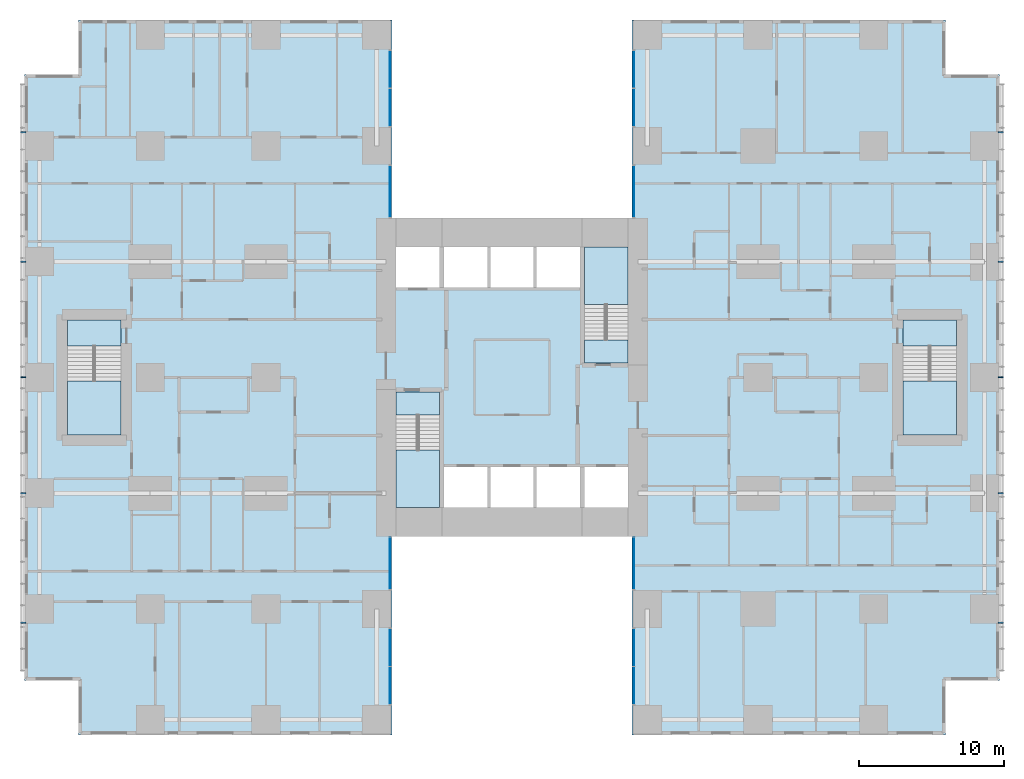
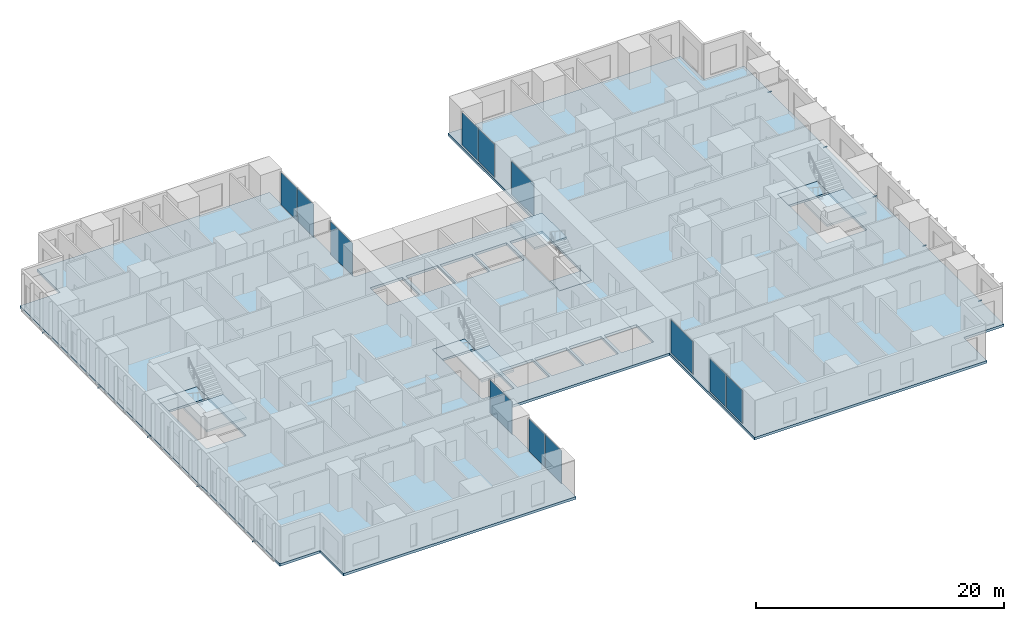
# One storey, part 7 of 20: 12 plates, 10 members, 9 slabs, 12 elements without a shape of their own.
"""IFC4 building model written with IfcOpenShell, lengths in metres."""

from ifc_helpers import new_model, si_unit, direction, frame, origin, origin_2d, place, context, subcontext, project, spatial, polyline, rectangle, hollow_rectangle, outline, extrude, material, layer, layer_set, material_profile, profile_set, type_object, element, aggregate, save


model = new_model("IFC4")

# Units and contexts
model_context = context("Model", 3, precision=1e-05, world=origin(), true_north=direction((0.0, 1.0)))
body_context = subcontext(model_context, "Body", "Model", "MODEL_VIEW")
ifc_project = project(units=[si_unit("LENGTHUNIT", "METRE"), si_unit("AREAUNIT", "SQUARE_METRE"), si_unit("VOLUMEUNIT", "CUBIC_METRE"), si_unit("PLANEANGLEUNIT", "RADIAN"), si_unit("MASSUNIT", "GRAM", prefix="KILO")], contexts=[model_context])

# Site, building, storey
site_placement = place(None, origin())
site = spatial("IfcSite", under=ifc_project, at=site_placement, CompositionType="ELEMENT")
building_placement = place(site_placement, origin())
building = spatial("IfcBuilding", under=site, at=building_placement, Name="Cleftline Residences", CompositionType="ELEMENT")
storey_placement = place(building_placement, frame((0.0, 0.0, 121.39990234375)))
storey = spatial("IfcBuildingStorey", under=building, at=storey_placement, Name="L31", CompositionType="ELEMENT", Elevation=121.39990234375)

# Members
ifc_material_1 = material(Name="Steel S355, hot-dip galvanised", Category="steel")
ifc_material_profile = material_profile(ifc_material_1, hollow_rectangle(XDim=0.10009765625, YDim=0.10009765625, WallThickness=0.008056640625, InnerFilletRadius=0.008056640625, OuterFilletRadius=0.011962890625, at=origin_2d()))
ifc_profile_set = profile_set([ifc_material_profile], Name="Steel S355, hot-dip galvanised")
member_type = type_object("IfcMemberType", Name="BAGUETTE BRACKET SHS 100X100X8", PredefinedType="USERDEFINED", material=ifc_profile_set)
for number, where, z_axis, x_axis, name in (
    (1, (66.60009765625, 7.050048828125, -0.14990234375), (1.0, 0.0, 0.0), (0.0, 1.0, 0.0), "Baguette bracket"),
    (2, (66.60009765625, 16.0, -0.14990234375), (1.0, 0.0, 0.0), (0.0, 1.0, 0.0), "Baguette bracket"),
    (3, (66.60009765625, 24.0, -0.14990234375), (1.0, 0.0, 0.0), (0.0, 1.0, 0.0), "Baguette bracket"),
    (4, (66.60009765625, 32.0, -0.14990234375), (1.0, 0.0, 0.0), (0.0, 1.0, 0.0), "Baguette bracket"),
    (5, (66.60009765625, 40.949951171875, -0.14990234375), (1.0, 0.0, 0.0), (0.0, 1.0, 0.0), "Baguette bracket"),
    (6, (-0.60009765625, 40.949951171875, -0.14990234375), (-1.0, 0.0, 0.0), (0.0, -1.0, 0.0), "Baguette bracket"),
    (7, (-0.60009765625, 32.0, -0.14990234375), (-1.0, 0.0, 0.0), (0.0, -1.0, 0.0), "Baguette bracket"),
    (8, (-0.60009765625, 24.0, -0.14990234375), (-1.0, 0.0, 0.0), (0.0, -1.0, 0.0), "Baguette bracket"),
    (9, (-0.60009765625, 16.0, -0.14990234375), (-1.0, 0.0, 0.0), (0.0, -1.0, 0.0), "Baguette bracket"),
    (10, (-0.60009765625, 7.050048828125, -0.14990234375), (-1.0, 0.0, 0.0), (0.0, -1.0, 0.0), "Baguette bracket"),
):
    element("IfcMember", number, at=place(storey_placement, frame(where, z_axis=z_axis, x_axis=x_axis)), inside=storey, type_object=member_type, Name=name, ObjectType="BAGUETTE BRACKET", PredefinedType="USERDEFINED", context=body_context, shape_type="SweptSolid", body=[
        extrude(hollow_rectangle(XDim=0.10009765625, YDim=0.10009765625, WallThickness=0.008056640625, InnerFilletRadius=0.008056640625, OuterFilletRadius=0.011962890625, at=origin_2d()), origin(), (0.0, 0.0, 1.0), 0.349853515625),
    ])

# Curtain wall, plates
ifc_material_2 = material(Name="Aluminium framed curtain wall", Category="aluminium")
ifc_layer_1 = layer(ifc_material_2, 0.199951171875)
ifc_layer_set_1 = layer_set([ifc_layer_1], Name="CW1 CLEFT GLAZING")
curtain_wall_type = type_object("IfcCurtainWallType", Name="CW1 CLEFT GLAZING", PredefinedType="NOTDEFINED", material=ifc_layer_set_1)
curtain_wall_1_placement = place(storey_placement, origin())
curtain_wall_1 = element("IfcCurtainWall", 11, at=curtain_wall_1_placement, inside=storey, type_object=curtain_wall_type, Name="Curtain wall CW1", PredefinedType="NOTDEFINED")
ifc_material_3 = material(Name="Laminated clear glass", Category="glass")
ifc_layer_2 = layer(ifc_material_3, 0.028076171875)
ifc_layer_set_2 = layer_set([ifc_layer_2], Name="CW1 GLASS PANEL")
plate_type = type_object("IfcPlateType", Name="CW1 GLASS PANEL", PredefinedType="CURTAIN_PANEL", material=ifc_layer_set_2)
plate_1_placement = place(storey_placement, frame((24.574951171875, 2.702392578125, 0.06005859375), z_axis=(0.0, 0.0, 1.0), x_axis=(0.0, 1.0, 0.0)))
plate_1 = element("IfcPlate", 12, at=plate_1_placement, type_object=plate_type, Name="CW1 panel 1.1", PredefinedType="CURTAIN_PANEL", context=body_context, shape_type="SweptSolid", body=[
    extrude(rectangle(XDim=2.5849609375, YDim=0.028076171875, at=origin_2d()), origin(), (0.0, 0.0, 1.0), 3.22998046875),
])
plate_2_placement = place(storey_placement, frame((24.574951171875, 5.347412109375, 0.06005859375), z_axis=(0.0, 0.0, 1.0), x_axis=(0.0, 1.0, 0.0)))
plate_2 = element("IfcPlate", 13, at=plate_2_placement, type_object=plate_type, Name="CW1 panel 2.1", PredefinedType="CURTAIN_PANEL", context=body_context, shape_type="SweptSolid", body=[
    extrude(rectangle(XDim=2.5849609375, YDim=0.028076171875, at=origin_2d()), origin(), (0.0, 0.0, 1.0), 3.22998046875),
])
aggregate(curtain_wall_1, [plate_1, plate_2])

# Curtain wall, plate
curtain_wall_2_placement = place(storey_placement, origin())
curtain_wall_2 = element("IfcCurtainWall", 14, at=curtain_wall_2_placement, inside=storey, type_object=curtain_wall_type, Name="Curtain wall CW1", PredefinedType="NOTDEFINED")
plate_3_placement = place(storey_placement, frame((24.574951171875, 11.14990234375, 0.06005859375), z_axis=(0.0, 0.0, 1.0), x_axis=(0.0, 1.0, 0.0)))
plate_3 = element("IfcPlate", 15, at=plate_3_placement, type_object=plate_type, Name="CW1 panel 1.1", PredefinedType="CURTAIN_PANEL", context=body_context, shape_type="SweptSolid", body=[
    extrude(rectangle(XDim=3.580078125, YDim=0.028076171875, at=origin_2d()), origin(), (0.0, 0.0, 1.0), 3.22998046875),
])
aggregate(curtain_wall_2, [plate_3])

curtain_wall_3_placement = place(storey_placement, origin())
curtain_wall_3 = element("IfcCurtainWall", 16, at=curtain_wall_3_placement, inside=storey, type_object=curtain_wall_type, Name="Curtain wall CW1", PredefinedType="NOTDEFINED")
plate_4_placement = place(storey_placement, frame((41.425048828125, 11.14990234375, 0.06005859375), z_axis=(0.0, 0.0, 1.0), x_axis=(0.0, -1.0, 0.0)))
plate_4 = element("IfcPlate", 17, at=plate_4_placement, type_object=plate_type, Name="CW1 panel 1.1", PredefinedType="CURTAIN_PANEL", context=body_context, shape_type="SweptSolid", body=[
    extrude(rectangle(XDim=3.580078125, YDim=0.028076171875, at=origin_2d()), origin(), (0.0, 0.0, 1.0), 3.22998046875),
])
aggregate(curtain_wall_3, [plate_4])

# Curtain wall, plates
curtain_wall_4_placement = place(storey_placement, origin())
curtain_wall_4 = element("IfcCurtainWall", 18, at=curtain_wall_4_placement, inside=storey, type_object=curtain_wall_type, Name="Curtain wall CW1", PredefinedType="NOTDEFINED")
plate_5_placement = place(storey_placement, frame((41.425048828125, 5.347412109375, 0.06005859375), z_axis=(0.0, 0.0, 1.0), x_axis=(0.0, -1.0, 0.0)))
plate_5 = element("IfcPlate", 19, at=plate_5_placement, type_object=plate_type, Name="CW1 panel 1.1", PredefinedType="CURTAIN_PANEL", context=body_context, shape_type="SweptSolid", body=[
    extrude(rectangle(XDim=2.5849609375, YDim=0.028076171875, at=origin_2d()), origin(), (0.0, 0.0, 1.0), 3.22998046875),
])
plate_6_placement = place(storey_placement, frame((41.425048828125, 2.702392578125, 0.06005859375), z_axis=(0.0, 0.0, 1.0), x_axis=(0.0, -1.0, 0.0)))
plate_6 = element("IfcPlate", 20, at=plate_6_placement, type_object=plate_type, Name="CW1 panel 2.1", PredefinedType="CURTAIN_PANEL", context=body_context, shape_type="SweptSolid", body=[
    extrude(rectangle(XDim=2.5849609375, YDim=0.028076171875, at=origin_2d()), origin(), (0.0, 0.0, 1.0), 3.22998046875),
])
aggregate(curtain_wall_4, [plate_5, plate_6])

curtain_wall_5_placement = place(storey_placement, origin())
curtain_wall_5 = element("IfcCurtainWall", 21, at=curtain_wall_5_placement, inside=storey, type_object=curtain_wall_type, Name="Curtain wall CW1", PredefinedType="NOTDEFINED")
plate_7_placement = place(storey_placement, frame((41.425048828125, 45.297607421875, 0.06005859375), z_axis=(0.0, 0.0, 1.0), x_axis=(0.0, -1.0, 0.0)))
plate_7 = element("IfcPlate", 22, at=plate_7_placement, type_object=plate_type, Name="CW1 panel 1.1", PredefinedType="CURTAIN_PANEL", context=body_context, shape_type="SweptSolid", body=[
    extrude(rectangle(XDim=2.5849609375, YDim=0.028076171875, at=origin_2d()), origin(), (0.0, 0.0, 1.0), 3.22998046875),
])
plate_8_placement = place(storey_placement, frame((41.425048828125, 42.652587890625, 0.06005859375), z_axis=(0.0, 0.0, 1.0), x_axis=(0.0, -1.0, 0.0)))
plate_8 = element("IfcPlate", 23, at=plate_8_placement, type_object=plate_type, Name="CW1 panel 2.1", PredefinedType="CURTAIN_PANEL", context=body_context, shape_type="SweptSolid", body=[
    extrude(rectangle(XDim=2.5849609375, YDim=0.028076171875, at=origin_2d()), origin(), (0.0, 0.0, 1.0), 3.22998046875),
])
aggregate(curtain_wall_5, [plate_7, plate_8])

# Curtain wall, plate
curtain_wall_6_placement = place(storey_placement, origin())
curtain_wall_6 = element("IfcCurtainWall", 24, at=curtain_wall_6_placement, inside=storey, type_object=curtain_wall_type, Name="Curtain wall CW1", PredefinedType="NOTDEFINED")
plate_9_placement = place(storey_placement, frame((41.425048828125, 36.85009765625, 0.06005859375), z_axis=(0.0, 0.0, 1.0), x_axis=(0.0, -1.0, 0.0)))
plate_9 = element("IfcPlate", 25, at=plate_9_placement, type_object=plate_type, Name="CW1 panel 1.1", PredefinedType="CURTAIN_PANEL", context=body_context, shape_type="SweptSolid", body=[
    extrude(rectangle(XDim=3.580078125, YDim=0.028076171875, at=origin_2d()), origin(), (0.0, 0.0, 1.0), 3.22998046875),
])
aggregate(curtain_wall_6, [plate_9])

curtain_wall_7_placement = place(storey_placement, origin())
curtain_wall_7 = element("IfcCurtainWall", 26, at=curtain_wall_7_placement, inside=storey, type_object=curtain_wall_type, Name="Curtain wall CW1", PredefinedType="NOTDEFINED")
plate_10_placement = place(storey_placement, frame((24.574951171875, 36.85009765625, 0.06005859375), z_axis=(0.0, 0.0, 1.0), x_axis=(0.0, 1.0, 0.0)))
plate_10 = element("IfcPlate", 27, at=plate_10_placement, type_object=plate_type, Name="CW1 panel 1.1", PredefinedType="CURTAIN_PANEL", context=body_context, shape_type="SweptSolid", body=[
    extrude(rectangle(XDim=3.580078125, YDim=0.028076171875, at=origin_2d()), origin(), (0.0, 0.0, 1.0), 3.22998046875),
])
aggregate(curtain_wall_7, [plate_10])

# Curtain wall, plates
curtain_wall_8_placement = place(storey_placement, origin())
curtain_wall_8 = element("IfcCurtainWall", 28, at=curtain_wall_8_placement, inside=storey, type_object=curtain_wall_type, Name="Curtain wall CW1", PredefinedType="NOTDEFINED")
plate_11_placement = place(storey_placement, frame((24.574951171875, 42.652587890625, 0.06005859375), z_axis=(0.0, 0.0, 1.0), x_axis=(0.0, 1.0, 0.0)))
plate_11 = element("IfcPlate", 29, at=plate_11_placement, type_object=plate_type, Name="CW1 panel 1.1", PredefinedType="CURTAIN_PANEL", context=body_context, shape_type="SweptSolid", body=[
    extrude(rectangle(XDim=2.5849609375, YDim=0.028076171875, at=origin_2d()), origin(), (0.0, 0.0, 1.0), 3.22998046875),
])
plate_12_placement = place(storey_placement, frame((24.574951171875, 45.297607421875, 0.06005859375), z_axis=(0.0, 0.0, 1.0), x_axis=(0.0, 1.0, 0.0)))
plate_12 = element("IfcPlate", 30, at=plate_12_placement, type_object=plate_type, Name="CW1 panel 2.1", PredefinedType="CURTAIN_PANEL", context=body_context, shape_type="SweptSolid", body=[
    extrude(rectangle(XDim=2.5849609375, YDim=0.028076171875, at=origin_2d()), origin(), (0.0, 0.0, 1.0), 3.22998046875),
])
aggregate(curtain_wall_8, [plate_11, plate_12])

# Slab
ifc_material_4 = material(Name="Concrete B45", Category="concrete")
ifc_layer_3 = layer(ifc_material_4, 0.25)
ifc_layer_set_3 = layer_set([ifc_layer_3], Name="FLOOR SLAB 250")
slab_type_1 = type_object("IfcSlabType", Name="FLOOR SLAB 250", PredefinedType="FLOOR", material=ifc_layer_set_3)
slab_1_placement = place(storey_placement, frame((0.0, 0.0, -0.25)))
element("IfcSlab", 31, at=slab_1_placement, inside=storey, type_object=slab_type_1, Name="Floor slab L31", PredefinedType="FLOOR", context=body_context, shape_type="SweptSolid", body=[
    extrude(outline(polyline([(24.699951171875, 13.0), (41.300048828125, 13.0), (41.300048828125, -0.699951171875), (62.949951171875, -0.699951171875), (62.949951171875, 3.050048828125), (66.699951171875, 3.050048828125), (66.699951171875, 44.949951171875), (62.949951171875, 44.949951171875), (62.949951171875, 48.699951171875), (41.300048828125, 48.699951171875), (41.300048828125, 35.0), (24.699951171875, 35.0), (24.699951171875, 48.699951171875), (3.050048828125, 48.699951171875), (3.050048828125, 44.949951171875), (-0.699951171875, 44.949951171875), (-0.699951171875, 3.050048828125), (3.050048828125, 3.050048828125), (3.050048828125, -0.699951171875), (24.699951171875, -0.699951171875), (24.699951171875, 13.0)]), holes=[polyline([(28.0, 15.0), (28.0, 23.0), (25.0, 23.0), (25.0, 15.0), (28.0, 15.0)]), polyline([(41.0, 25.0), (41.0, 33.0), (38.0, 33.0), (38.0, 25.0), (41.0, 25.0)]), polyline([(28.0, 30.199951171875), (28.0, 33.0), (25.0, 33.0), (25.0, 30.199951171875), (28.0, 30.199951171875)]), polyline([(41.0, 15.0), (41.0, 17.800048828125), (38.0, 17.800048828125), (38.0, 15.0), (41.0, 15.0)]), polyline([(31.300048828125, 15.0), (31.300048828125, 17.800048828125), (28.300048828125, 17.800048828125), (28.300048828125, 15.0), (31.300048828125, 15.0)]), polyline([(34.5, 15.0), (34.5, 17.800048828125), (31.5, 17.800048828125), (31.5, 15.0), (34.5, 15.0)]), polyline([(37.699951171875, 15.0), (37.699951171875, 17.800048828125), (34.699951171875, 17.800048828125), (34.699951171875, 15.0), (37.699951171875, 15.0)]), polyline([(31.300048828125, 30.199951171875), (31.300048828125, 33.0), (28.300048828125, 33.0), (28.300048828125, 30.199951171875), (31.300048828125, 30.199951171875)]), polyline([(34.5, 30.199951171875), (34.5, 33.0), (31.5, 33.0), (31.5, 30.199951171875), (34.5, 30.199951171875)]), polyline([(37.699951171875, 30.199951171875), (37.699951171875, 33.0), (34.699951171875, 33.0), (34.699951171875, 30.199951171875), (37.699951171875, 30.199951171875)]), polyline([(63.72509765625, 20.02490234375), (63.72509765625, 27.97509765625), (60.02490234375, 27.97509765625), (60.02490234375, 20.02490234375), (63.72509765625, 20.02490234375)]), polyline([(5.97509765625, 20.02490234375), (5.97509765625, 27.97509765625), (2.27490234375, 27.97509765625), (2.27490234375, 20.02490234375), (5.97509765625, 20.02490234375)])]), origin(), (0.0, 0.0, 1.0), 0.25),
])

# Stair, slabs
ifc_material_5 = material(Name="Concrete B45, stone treads", Category="masonry")
stair_type_1 = type_object("IfcStairType", Name="STAIR A 1450 WIDE 180 RISER", PredefinedType="HALF_TURN_STAIR", material=ifc_material_5)
stair_1_placement = place(storey_placement, origin())
stair_1 = element("IfcStair", 32, at=stair_1_placement, inside=storey, type_object=stair_type_1, Name="Stair A L31", PredefinedType="HALF_TURN_STAIR")
ifc_material_6 = material(Name="Concrete B45", Category="concrete")
ifc_layer_4 = layer(ifc_material_6, 0.199951171875)
ifc_layer_set_4 = layer_set([ifc_layer_4], Name="STAIR LANDING 200")
slab_type_2 = type_object("IfcSlabType", Name="STAIR LANDING 200", PredefinedType="LANDING", material=ifc_layer_set_4)
slab_2_placement = place(storey_placement, frame((0.0, 0.0, -0.199951171875)))
slab_2 = element("IfcSlab", 33, at=slab_2_placement, type_object=slab_type_2, Name="ST-A landing 1", PredefinedType="LANDING", context=body_context, shape_type="SweptSolid", body=[
    extrude(outline(polyline([(25.0, 21.39990234375), (28.0, 21.39990234375), (28.0, 23.0), (25.0, 23.0), (25.0, 21.39990234375)])), origin(), (0.0, 0.0, 1.0), 0.199951171875),
])
slab_3_placement = place(storey_placement, frame((0.0, 0.0, 1.60009765625)))
slab_3 = element("IfcSlab", 34, at=slab_3_placement, type_object=slab_type_2, Name="ST-A landing 2", PredefinedType="LANDING", context=body_context, shape_type="SweptSolid", body=[
    extrude(outline(polyline([(25.0, 15.0), (28.0, 15.0), (28.0, 18.969970703125), (25.0, 18.969970703125), (25.0, 15.0)])), origin(), (0.0, 0.0, 1.0), 0.199951171875),
])
aggregate(stair_1, [slab_2, slab_3])

ifc_material_7 = material(Name="Concrete B45, stone treads", Category="masonry")
stair_type_2 = type_object("IfcStairType", Name="STAIR B 1450 WIDE 180 RISER", PredefinedType="HALF_TURN_STAIR", material=ifc_material_7)
stair_2_placement = place(storey_placement, origin())
stair_2 = element("IfcStair", 35, at=stair_2_placement, inside=storey, type_object=stair_type_2, Name="Stair B L31", PredefinedType="HALF_TURN_STAIR")
slab_4_placement = place(storey_placement, frame((0.0, 0.0, -0.199951171875)))
slab_4 = element("IfcSlab", 36, at=slab_4_placement, type_object=slab_type_2, Name="ST-B landing 1", PredefinedType="LANDING", context=body_context, shape_type="SweptSolid", body=[
    extrude(outline(polyline([(38.0, 25.0), (41.0, 25.0), (41.0, 26.60009765625), (38.0, 26.60009765625), (38.0, 25.0)])), origin(), (0.0, 0.0, 1.0), 0.199951171875),
])
slab_5_placement = place(storey_placement, frame((0.0, 0.0, 1.60009765625)))
slab_5 = element("IfcSlab", 37, at=slab_5_placement, type_object=slab_type_2, Name="ST-B landing 2", PredefinedType="LANDING", context=body_context, shape_type="SweptSolid", body=[
    extrude(outline(polyline([(38.0, 29.030029296875), (41.0, 29.030029296875), (41.0, 33.0), (38.0, 33.0), (38.0, 29.030029296875)])), origin(), (0.0, 0.0, 1.0), 0.199951171875),
])
aggregate(stair_2, [slab_4, slab_5])

ifc_material_8 = material(Name="Concrete B45, stone treads", Category="masonry")
stair_type_3 = type_object("IfcStairType", Name="STAIR E 1800 WIDE 180 RISER", PredefinedType="HALF_TURN_STAIR", material=ifc_material_8)
stair_3_placement = place(storey_placement, origin())
stair_3 = element("IfcStair", 38, at=stair_3_placement, inside=storey, type_object=stair_type_3, Name="Stair E L31", PredefinedType="HALF_TURN_STAIR")
slab_6_placement = place(storey_placement, frame((0.0, 0.0, -0.199951171875)))
slab_6 = element("IfcSlab", 39, at=slab_6_placement, type_object=slab_type_2, Name="ST-E landing 1", PredefinedType="LANDING", context=body_context, shape_type="SweptSolid", body=[
    extrude(outline(polyline([(60.02490234375, 26.175048828125), (63.72509765625, 26.175048828125), (63.72509765625, 27.97509765625), (60.02490234375, 27.97509765625), (60.02490234375, 26.175048828125)])), origin(), (0.0, 0.0, 1.0), 0.199951171875),
])
slab_7_placement = place(storey_placement, frame((0.0, 0.0, 1.60009765625)))
slab_7 = element("IfcSlab", 40, at=slab_7_placement, type_object=slab_type_2, Name="ST-E landing 2", PredefinedType="LANDING", context=body_context, shape_type="SweptSolid", body=[
    extrude(outline(polyline([(60.02490234375, 20.02490234375), (63.72509765625, 20.02490234375), (63.72509765625, 23.7451171875), (60.02490234375, 23.7451171875), (60.02490234375, 20.02490234375)])), origin(), (0.0, 0.0, 1.0), 0.199951171875),
])
aggregate(stair_3, [slab_6, slab_7])

ifc_material_9 = material(Name="Concrete B45, stone treads", Category="masonry")
stair_type_4 = type_object("IfcStairType", Name="STAIR W 1800 WIDE 180 RISER", PredefinedType="HALF_TURN_STAIR", material=ifc_material_9)
stair_4_placement = place(storey_placement, origin())
stair_4 = element("IfcStair", 41, at=stair_4_placement, inside=storey, type_object=stair_type_4, Name="Stair W L31", PredefinedType="HALF_TURN_STAIR")
slab_8_placement = place(storey_placement, frame((0.0, 0.0, -0.199951171875)))
slab_8 = element("IfcSlab", 42, at=slab_8_placement, type_object=slab_type_2, Name="ST-W landing 1", PredefinedType="LANDING", context=body_context, shape_type="SweptSolid", body=[
    extrude(outline(polyline([(2.27490234375, 26.175048828125), (5.97509765625, 26.175048828125), (5.97509765625, 27.97509765625), (2.27490234375, 27.97509765625), (2.27490234375, 26.175048828125)])), origin(), (0.0, 0.0, 1.0), 0.199951171875),
])
slab_9_placement = place(storey_placement, frame((0.0, 0.0, 1.60009765625)))
slab_9 = element("IfcSlab", 43, at=slab_9_placement, type_object=slab_type_2, Name="ST-W landing 2", PredefinedType="LANDING", context=body_context, shape_type="SweptSolid", body=[
    extrude(outline(polyline([(2.27490234375, 20.02490234375), (5.97509765625, 20.02490234375), (5.97509765625, 23.7451171875), (2.27490234375, 23.7451171875), (2.27490234375, 20.02490234375)])), origin(), (0.0, 0.0, 1.0), 0.199951171875),
])
aggregate(stair_4, [slab_8, slab_9])

save(model, "model.ifc")
